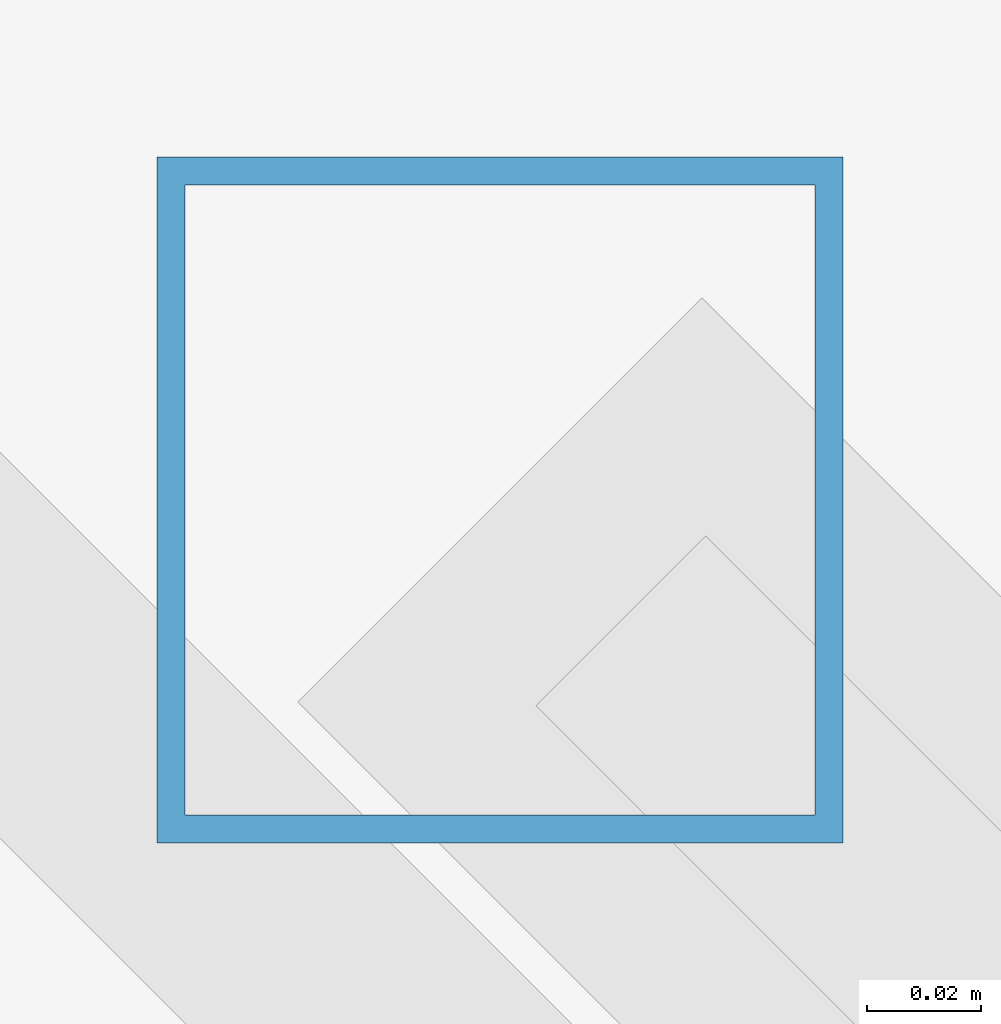
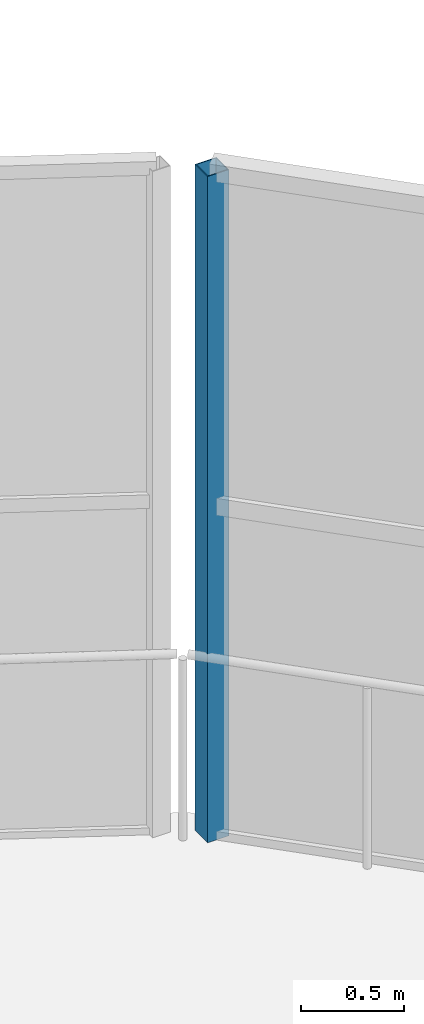
# One storey, part 157 of 217: 1 member, 1 element without a shape of its own.
"""IFC4 building model written with IfcOpenShell, lengths in metres."""

from ifc_helpers import new_model, si_unit, direction, frame, origin, origin_2d, place, context, subcontext, project, spatial, hollow_rectangle, extrude, material, material_profile, profile_set, type_object, element, aggregate, save


model = new_model("IFC4")

# Units and contexts
model_context = context("Model", 3, precision=1e-05, world=origin(), true_north=direction((0.0, 1.0)))
body_context = subcontext(model_context, "Body", "Model", "MODEL_VIEW")
ifc_project = project(units=[si_unit("LENGTHUNIT", "METRE"), si_unit("AREAUNIT", "SQUARE_METRE"), si_unit("VOLUMEUNIT", "CUBIC_METRE"), si_unit("PLANEANGLEUNIT", "RADIAN"), si_unit("MASSUNIT", "GRAM", prefix="KILO")], contexts=[model_context])

# Site, building, storey
site_placement = place(None, origin())
site = spatial("IfcSite", under=ifc_project, at=site_placement, CompositionType="ELEMENT")
building_placement = place(site_placement, origin())
building = spatial("IfcBuilding", under=site, at=building_placement, Name="Zuvorla Pavilion Media Centre", CompositionType="ELEMENT")
storey_placement = place(building_placement, frame((0.0, 0.0, 9.60009765625)))
storey = spatial("IfcBuildingStorey", under=building, at=storey_placement, Name="L02", CompositionType="ELEMENT", Elevation=9.60009765625)

# Curtain wall, member
ifc_material_1 = material(Name="Unitised anodised aluminium and solar glass curtain wall", Category="aluminium")
curtain_wall_type = type_object("IfcCurtainWallType", Name="CW-SYS-03", PredefinedType="USERDEFINED", material=ifc_material_1)
curtain_wall_placement = place(storey_placement, origin())
curtain_wall = element("IfcCurtainWall", 1, at=curtain_wall_placement, inside=storey, type_object=curtain_wall_type, Name="L02 curtain wall CW03 9", ObjectType="CURTAIN WALL", PredefinedType="USERDEFINED")
ifc_material_2 = material(Name="Anodised aluminium 6063-T6", Category="aluminium")
ifc_material_profile = material_profile(ifc_material_2, hollow_rectangle(XDim=0.1201171875, YDim=0.1201171875, WallThickness=0.0048828125, at=origin_2d()), Name="ALU MULL 120x120")
ifc_profile_set = profile_set([ifc_material_profile], Name="Anodised aluminium 6063-T6")
member_type = type_object("IfcMemberType", Name="CW-MULL-120", PredefinedType="MULLION", material=ifc_profile_set)
member_placement = place(storey_placement, frame((167.994140625, 85.9501953125, 0.0), z_axis=(0.0, 0.0, 1.0), x_axis=(1.0, 0.0, 0.0)))
member = element("IfcMember", 2, at=member_placement, type_object=member_type, Name="CW03 mullion 3", PredefinedType="MULLION", context=body_context, shape_type="SweptSolid", body=[
    extrude(hollow_rectangle(XDim=0.1201171875, YDim=0.1201171875, WallThickness=0.0048828125, at=origin_2d()), origin(), (0.0, 0.0, 1.0), 3.949951171875),
])
aggregate(curtain_wall, [member])

save(model, "model.ifc")
